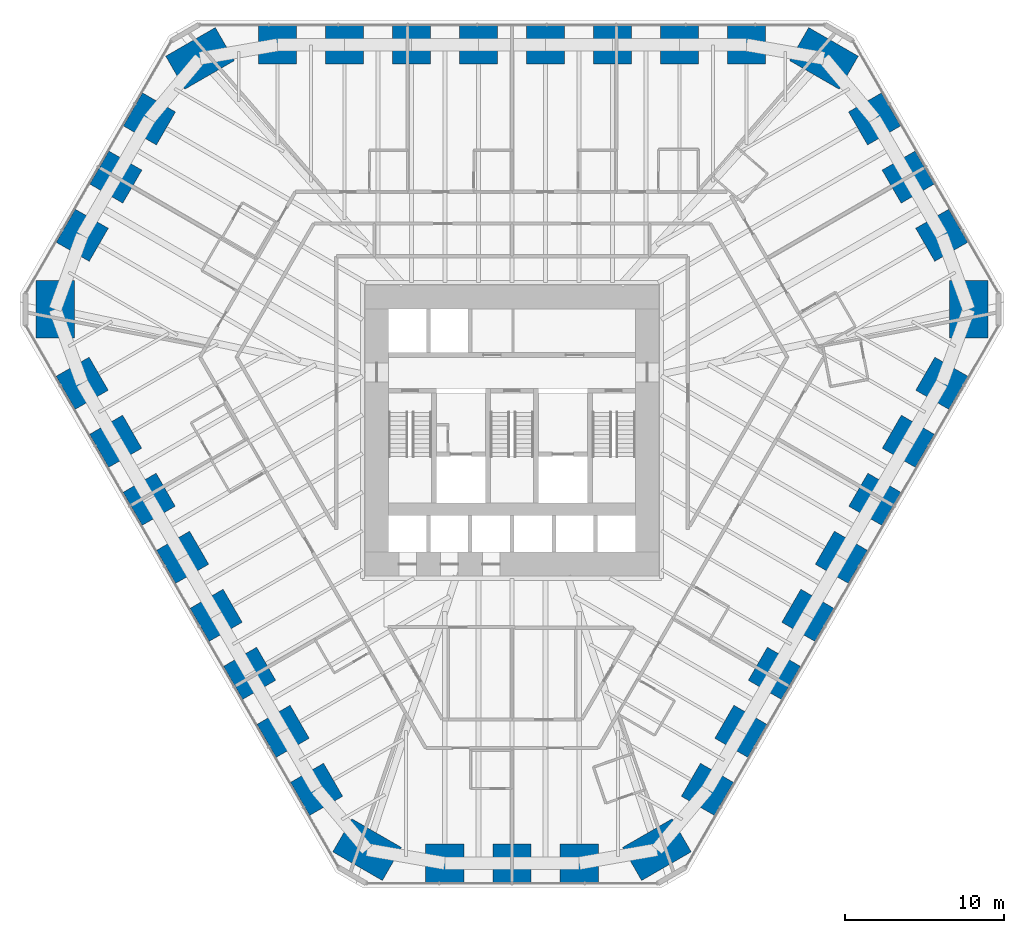
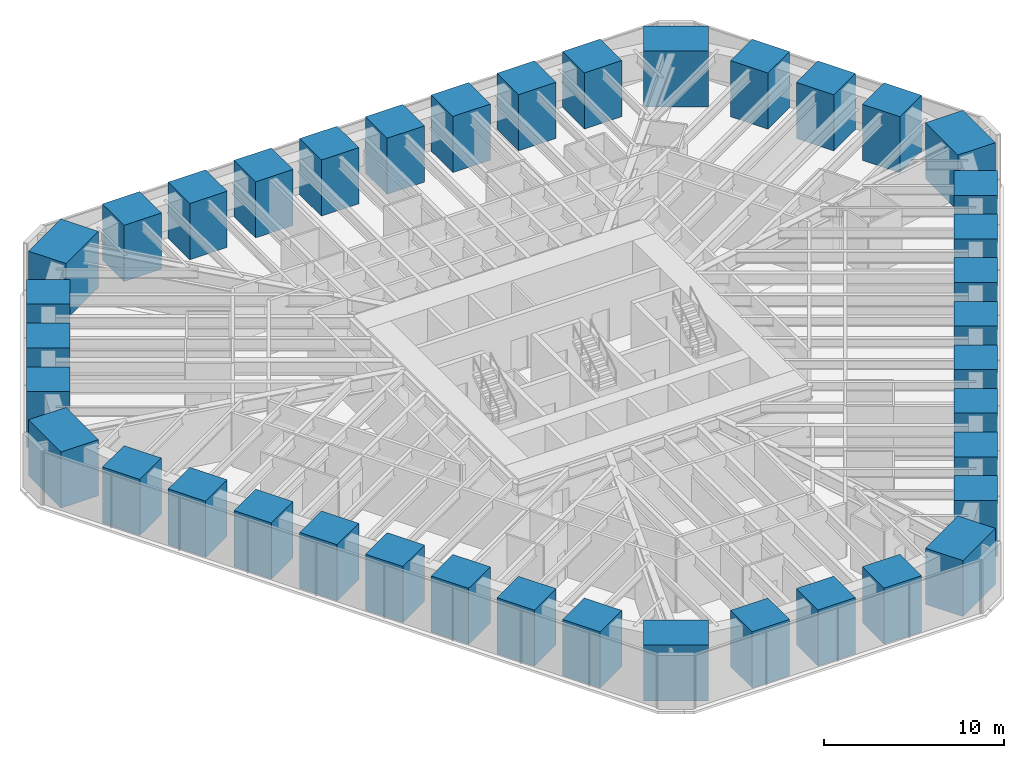
# One storey, part 1 of 17: 39 columns.
"""IFC4 building model written with IfcOpenShell, lengths in metres."""

from ifc_helpers import new_model, si_unit, direction, frame, origin, origin_2d, place, context, subcontext, project, spatial, rectangle, extrude, material, material_profile, profile_set, type_object, element, save


model = new_model("IFC4")

# Units and contexts
model_context = context("Model", 3, precision=1e-05, world=origin(), true_north=direction((0.0, 1.0)))
body_context = subcontext(model_context, "Body", "Model", "MODEL_VIEW")
ifc_project = project(units=[si_unit("LENGTHUNIT", "METRE"), si_unit("AREAUNIT", "SQUARE_METRE"), si_unit("VOLUMEUNIT", "CUBIC_METRE"), si_unit("PLANEANGLEUNIT", "RADIAN"), si_unit("MASSUNIT", "GRAM", prefix="KILO")], contexts=[model_context])

# Site, building, storey
site_placement = place(None, origin())
site = spatial("IfcSite", under=ifc_project, at=site_placement, CompositionType="ELEMENT")
building_placement = place(site_placement, origin())
building = spatial("IfcBuilding", under=site, at=building_placement, Name="Sandreach Pilgrim Tower", CompositionType="ELEMENT")
storey_placement = place(building_placement, frame((0.0, 0.0, 42.0)))
storey = spatial("IfcBuildingStorey", under=building, at=storey_placement, Name="L09", CompositionType="ELEMENT", Elevation=42.0)

# Columns
ifc_material_1 = material(Name="Concrete 10000 psi", Category="concrete")
ifc_material_profile_1 = material_profile(ifc_material_1, rectangle(XDim=2.39990234375, YDim=2.39990234375, at=origin_2d()), Name="RC2400X2400")
ifc_profile_set_1 = profile_set([ifc_material_profile_1], Name="Concrete 10000 psi")
column_type_1 = type_object("IfcColumnType", Name="Tube column RC2400X2400", PredefinedType="COLUMN", material=ifc_profile_set_1)
for number, where, z_axis, x_axis, name in (
    (1, (-14.734619140625, 22.688720703125, 0.0), (0.0, 0.0, 1.0), (0.0, 1.0, 0.0), "COL L09 T01"),
    (2, (-10.52490234375, 22.688720703125, 0.0), (0.0, 0.0, 1.0), (0.0, 1.0, 0.0), "COL L09 T02"),
    (3, (-6.31494140625, 22.688720703125, 0.0), (0.0, 0.0, 1.0), (0.0, 1.0, 0.0), "COL L09 T03"),
    (4, (-2.10498046875, 22.688720703125, 0.0), (0.0, 0.0, 1.0), (0.0, 1.0, 0.0), "COL L09 T04"),
    (5, (2.10498046875, 22.688720703125, 0.0), (0.0, 0.0, 1.0), (0.0, 1.0, 0.0), "COL L09 T05"),
    (6, (6.31494140625, 22.688720703125, 0.0), (0.0, 0.0, 1.0), (0.0, 1.0, 0.0), "COL L09 T06"),
    (7, (10.52490234375, 22.688720703125, 0.0), (0.0, 0.0, 1.0), (0.0, 1.0, 0.0), "COL L09 T07"),
    (8, (14.734619140625, 22.688720703125, 0.0), (0.0, 0.0, 1.0), (0.0, 1.0, 0.0), "COL L09 T08"),
    (9, (22.787841796875, 18.031982421875, 0.0), (0.0, 0.0, 1.0), (0.866025403784, 0.5, 0.0), "COL L09 T10"),
    (10, (24.89892578125, 14.37548828125, 0.0), (0.0, 0.0, 1.0), (0.866025403784, 0.5, 0.0), "COL L09 T11"),
    (11, (27.01025390625, 10.71875, 0.0), (0.0, 0.0, 1.0), (0.866025403784, 0.5, 0.0), "COL L09 T12"),
    (12, (27.016357421875, 1.416259765625, 0.0), (0.0, 0.0, 1.0), (0.866025403784, -0.5, 0.0), "COL L09 T14"),
    (13, (24.911376953125, -2.229736328125, 0.0), (0.0, 0.0, 1.0), (0.866025403784, -0.5, 0.0), "COL L09 T15"),
    (14, (22.806396484375, -5.87548828125, 0.0), (0.0, 0.0, 1.0), (0.866025403784, -0.5, 0.0), "COL L09 T16"),
    (15, (20.701416015625, -9.521484375, 0.0), (0.0, 0.0, 1.0), (0.866025403784, -0.5, 0.0), "COL L09 T17"),
    (16, (18.596435546875, -13.167236328125, 0.0), (0.0, 0.0, 1.0), (0.866025403784, -0.5, 0.0), "COL L09 T18"),
    (17, (16.491455078125, -16.813232421875, 0.0), (0.0, 0.0, 1.0), (0.866025403784, -0.5, 0.0), "COL L09 T19"),
    (18, (14.38671875, -20.458984375, 0.0), (0.0, 0.0, 1.0), (0.866025403784, -0.5, 0.0), "COL L09 T20"),
    (19, (12.28173828125, -24.10498046875, 0.0), (0.0, 0.0, 1.0), (0.866025403784, -0.5, 0.0), "COL L09 T21"),
    (20, (4.222412109375, -28.7509765625, 0.0), (0.0, 0.0, 1.0), (0.0, -1.0, 0.0), "COL L09 T23"),
    (21, (0.0, -28.7509765625, 0.0), (0.0, 0.0, 1.0), (0.0, -1.0, 0.0), "COL L09 T24"),
    (22, (-4.222412109375, -28.7509765625, 0.0), (0.0, 0.0, 1.0), (0.0, -1.0, 0.0), "COL L09 T25"),
    (23, (-12.28173828125, -24.10498046875, 0.0), (0.0, 0.0, 1.0), (-0.866025403784, -0.5, 0.0), "COL L09 T27"),
    (24, (-14.38671875, -20.458984375, 0.0), (0.0, 0.0, 1.0), (-0.866025403784, -0.5, 0.0), "COL L09 T28"),
    (25, (-16.491455078125, -16.813232421875, 0.0), (0.0, 0.0, 1.0), (-0.866025403784, -0.5, 0.0), "COL L09 T29"),
    (26, (-18.596435546875, -13.167236328125, 0.0), (0.0, 0.0, 1.0), (-0.866025403784, -0.5, 0.0), "COL L09 T30"),
    (27, (-20.701416015625, -9.521484375, 0.0), (0.0, 0.0, 1.0), (-0.866025403784, -0.5, 0.0), "COL L09 T31"),
    (28, (-22.806396484375, -5.87548828125, 0.0), (0.0, 0.0, 1.0), (-0.866025403784, -0.5, 0.0), "COL L09 T32"),
    (29, (-24.911376953125, -2.229736328125, 0.0), (0.0, 0.0, 1.0), (-0.866025403784, -0.5, 0.0), "COL L09 T33"),
    (30, (-27.016357421875, 1.416259765625, 0.0), (0.0, 0.0, 1.0), (-0.866025403784, -0.5, 0.0), "COL L09 T34"),
    (31, (-27.01025390625, 10.71875, 0.0), (0.0, 0.0, 1.0), (-0.866025403784, 0.5, 0.0), "COL L09 T36"),
    (32, (-24.89892578125, 14.37548828125, 0.0), (0.0, 0.0, 1.0), (-0.866025403784, 0.5, 0.0), "COL L09 T37"),
    (33, (-22.787841796875, 18.031982421875, 0.0), (0.0, 0.0, 1.0), (-0.866025403784, 0.5, 0.0), "COL L09 T38"),
):
    element("IfcColumn", number, at=place(storey_placement, frame(where, z_axis=z_axis, x_axis=x_axis)), inside=storey, type_object=column_type_1, Name=name, PredefinedType="COLUMN", context=body_context, shape_type="SweptSolid", body=[
        extrude(rectangle(XDim=2.39990234375, YDim=2.39990234375, at=origin_2d()), origin(), (0.0, 0.0, 1.0), 3.800048828125),
    ])
ifc_material_2 = material(Name="Concrete 10000 psi", Category="concrete")
ifc_material_profile_2 = material_profile(ifc_material_2, rectangle(XDim=2.39990234375, YDim=3.60009765625, at=origin_2d()), Name="RC2400X3600")
ifc_profile_set_2 = profile_set([ifc_material_profile_2], Name="Concrete 10000 psi")
column_type_2 = type_object("IfcColumnType", Name="Tube corner pier RC2400X3600", PredefinedType="COLUMN", material=ifc_profile_set_2)
for number, where, z_axis, x_axis, name in (
    (34, (19.6064453125, 21.834716796875, 0.0), (0.0, 0.0, 1.0), (0.5, 0.866025403784, 0.0), "COL L09 T09"),
    (35, (28.712646484375, 6.062255859375, 0.0), (0.0, 0.0, 1.0), (1.0, 0.0, 0.0), "COL L09 T13"),
    (36, (9.1064453125, -27.89697265625, 0.0), (0.0, 0.0, 1.0), (0.5, -0.866025403784, 0.0), "COL L09 T22"),
    (37, (-9.1064453125, -27.89697265625, 0.0), (0.0, 0.0, 1.0), (-0.5, -0.866025403784, 0.0), "COL L09 T26"),
    (38, (-28.712646484375, 6.062255859375, 0.0), (0.0, 0.0, 1.0), (-1.0, 0.0, 0.0), "COL L09 T35"),
    (39, (-19.6064453125, 21.834716796875, 0.0), (0.0, 0.0, 1.0), (-0.5, 0.866025403784, 0.0), "COL L09 T39"),
):
    element("IfcColumn", number, at=place(storey_placement, frame(where, z_axis=z_axis, x_axis=x_axis)), inside=storey, type_object=column_type_2, Name=name, PredefinedType="COLUMN", context=body_context, shape_type="SweptSolid", body=[
        extrude(rectangle(XDim=2.39990234375, YDim=3.60009765625, at=origin_2d()), origin(), (0.0, 0.0, 1.0), 3.800048828125),
    ])

save(model, "model.ifc")
